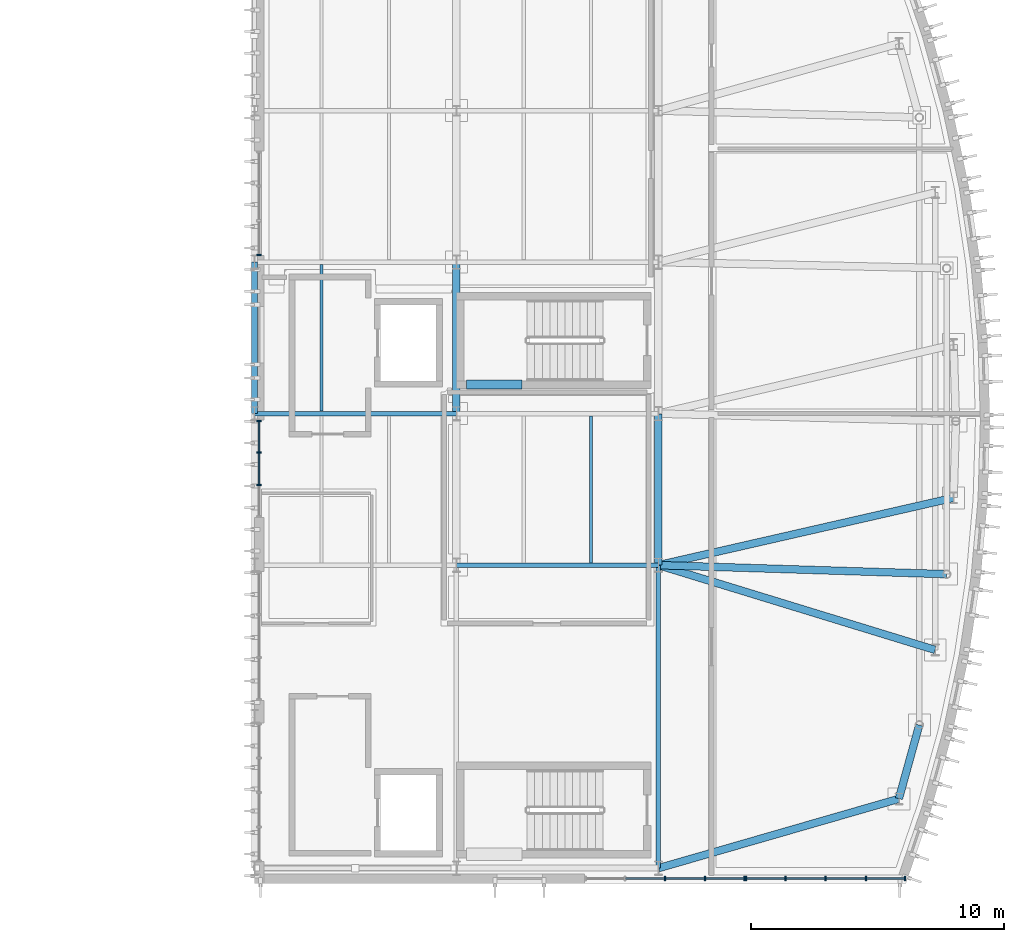
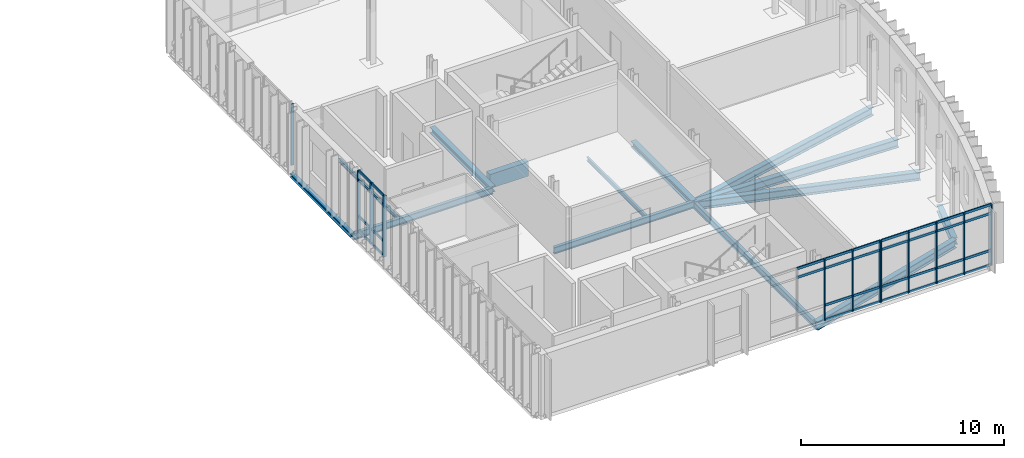
# One storey, part 13 of 43: 46 members, 14 beams, 4 elements without a shape of their own.
"""IFC4 building model written with IfcOpenShell, lengths in metres."""

from ifc_helpers import new_model, si_unit, direction, frame, origin, origin_2d, place, context, subcontext, project, spatial, rectangle, i_section, extrude, material, material_profile, profile_set, type_object, element, aggregate, save


model = new_model("IFC4")

# Units and contexts
model_context = context("Model", 3, precision=1e-05, world=origin(), true_north=direction((0.0, 1.0)))
body_context = subcontext(model_context, "Body", "Model", "MODEL_VIEW")
ifc_project = project(units=[si_unit("LENGTHUNIT", "METRE"), si_unit("AREAUNIT", "SQUARE_METRE"), si_unit("VOLUMEUNIT", "CUBIC_METRE"), si_unit("PLANEANGLEUNIT", "RADIAN"), si_unit("MASSUNIT", "GRAM", prefix="KILO")], contexts=[model_context])

# Site, building, storey
site_placement = place(None, origin())
site = spatial("IfcSite", under=ifc_project, at=site_placement, CompositionType="ELEMENT")
building_placement = place(site_placement, origin())
building = spatial("IfcBuilding", under=site, at=building_placement, Name="Cymarion Research Institute", CompositionType="ELEMENT")
storey_placement = place(building_placement, frame((0.0, 0.0, 22.800048828125)))
storey = spatial("IfcBuildingStorey", under=building, at=storey_placement, Name="L05", CompositionType="ELEMENT", Elevation=22.800048828125)

# Beam
ifc_material_1 = material(Name="Concrete C40/50", Category="concrete")
ifc_material_profile_1 = material_profile(ifc_material_1, rectangle(XDim=0.35009765625, YDim=0.85009765625, at=origin_2d()), Name="RC 350x850")
ifc_profile_set_1 = profile_set([ifc_material_profile_1], Name="Concrete C40/50")
beam_type_1 = type_object("IfcBeamType", Name="COUPLING LINTEL LN02 RC 350x850", PredefinedType="LINTEL", material=ifc_profile_set_1)
beam_1_placement = place(storey_placement, frame((147.0, 24.64990234375, -0.6650390625), z_axis=(1.0, 0.0, 0.0), x_axis=(0.0, 1.0, 0.0)))
element("IfcBeam", 1, at=beam_1_placement, inside=storey, type_object=beam_type_1, Name="L05 C2 core coupling lintel LN02", PredefinedType="LINTEL", context=body_context, shape_type="SweptSolid", body=[
    extrude(rectangle(XDim=0.35009765625, YDim=0.85009765625, at=origin_2d()), origin(), (0.0, 0.0, 1.0), 2.199951171875),
])

# Curtain wall, members
ifc_material_2 = material(Name="Anodised aluminium unitised curtain wall with Low-E glazing", Category="aluminium")
curtain_wall_type_1 = type_object("IfcCurtainWallType", Name="UNITISED CURTAIN WALL CW46 6360X3680", PredefinedType="NOTDEFINED", material=ifc_material_2)
curtain_wall_1_placement = place(storey_placement, origin())
curtain_wall_1 = element("IfcCurtainWall", 2, at=curtain_wall_1_placement, inside=storey, type_object=curtain_wall_type_1, Name="L05 V1 unitised curtain wall CW46 #200", PredefinedType="NOTDEFINED")
ifc_material_3 = material(Name="Anodised aluminium framing", Category="aluminium")
ifc_material_profile_2 = material_profile(ifc_material_3, rectangle(XDim=0.06005859375, YDim=0.179931640625, at=origin_2d()), Name="ALU MULLION 60x180")
ifc_profile_set_2 = profile_set([ifc_material_profile_2], Name="Anodised aluminium framing")
member_type_1 = type_object("IfcMemberType", Name="CURTAIN WALL MULLION ML01 60X180", PredefinedType="MULLION", material=ifc_profile_set_2)
member_1_placement = place(storey_placement, frame((154.86083984375, 5.090087890625, 0.0), z_axis=(0.0, 0.0, 1.0), x_axis=(1.0, 0.0, 0.0)))
member_1 = element("IfcMember", 3, at=member_1_placement, type_object=member_type_1, Name="CW46 mullion 3", PredefinedType="MULLION", context=body_context, shape_type="SweptSolid", body=[
    extrude(rectangle(XDim=0.06005859375, YDim=0.179931640625, at=origin_2d()), origin(), (0.0, 0.0, 1.0), 3.679931640625),
])
member_2_placement = place(storey_placement, frame((156.45068359375, 5.090087890625, 0.0), z_axis=(0.0, 0.0, 1.0), x_axis=(1.0, 0.0, 0.0)))
member_2 = element("IfcMember", 4, at=member_2_placement, type_object=member_type_1, Name="CW46 mullion 4", PredefinedType="MULLION", context=body_context, shape_type="SweptSolid", body=[
    extrude(rectangle(XDim=0.06005859375, YDim=0.179931640625, at=origin_2d()), origin(), (0.0, 0.0, 1.0), 3.679931640625),
])
member_3_placement = place(storey_placement, frame((158.010498046875, 5.090087890625, 0.0), z_axis=(0.0, 0.0, 1.0), x_axis=(1.0, 0.0, 0.0)))
member_3 = element("IfcMember", 5, at=member_3_placement, type_object=member_type_1, Name="CW46 mullion 5", PredefinedType="MULLION", context=body_context, shape_type="SweptSolid", body=[
    extrude(rectangle(XDim=0.06005859375, YDim=0.179931640625, at=origin_2d()), origin(), (0.0, 0.0, 1.0), 3.679931640625),
])

curtain_wall_2_placement = place(storey_placement, origin())
curtain_wall_2 = element("IfcCurtainWall", 6, at=curtain_wall_2_placement, inside=storey, type_object=curtain_wall_type_1, Name="L05 V1 unitised curtain wall CW46 #201", PredefinedType="NOTDEFINED")
member_4_placement = place(storey_placement, frame((158.070556640625, 5.090087890625, 0.0), z_axis=(0.0, 0.0, 1.0), x_axis=(1.0, 0.0, 0.0)))
member_4 = element("IfcMember", 7, at=member_4_placement, type_object=member_type_1, Name="CW46 mullion 1", PredefinedType="MULLION", context=body_context, shape_type="SweptSolid", body=[
    extrude(rectangle(XDim=0.06005859375, YDim=0.179931640625, at=origin_2d()), origin(), (0.0, 0.0, 1.0), 3.679931640625),
])
member_5_placement = place(storey_placement, frame((159.63037109375, 5.090087890625, 0.0), z_axis=(0.0, 0.0, 1.0), x_axis=(1.0, 0.0, 0.0)))
member_5 = element("IfcMember", 8, at=member_5_placement, type_object=member_type_1, Name="CW46 mullion 2", PredefinedType="MULLION", context=body_context, shape_type="SweptSolid", body=[
    extrude(rectangle(XDim=0.06005859375, YDim=0.179931640625, at=origin_2d()), origin(), (0.0, 0.0, 1.0), 3.679931640625),
])
member_6_placement = place(storey_placement, frame((161.22021484375, 5.090087890625, 0.0), z_axis=(0.0, 0.0, 1.0), x_axis=(1.0, 0.0, 0.0)))
member_6 = element("IfcMember", 9, at=member_6_placement, type_object=member_type_1, Name="CW46 mullion 3", PredefinedType="MULLION", context=body_context, shape_type="SweptSolid", body=[
    extrude(rectangle(XDim=0.06005859375, YDim=0.179931640625, at=origin_2d()), origin(), (0.0, 0.0, 1.0), 3.679931640625),
])
member_7_placement = place(storey_placement, frame((162.81005859375, 5.090087890625, 0.0), z_axis=(0.0, 0.0, 1.0), x_axis=(1.0, 0.0, 0.0)))
member_7 = element("IfcMember", 10, at=member_7_placement, type_object=member_type_1, Name="CW46 mullion 4", PredefinedType="MULLION", context=body_context, shape_type="SweptSolid", body=[
    extrude(rectangle(XDim=0.06005859375, YDim=0.179931640625, at=origin_2d()), origin(), (0.0, 0.0, 1.0), 3.679931640625),
])
member_8_placement = place(storey_placement, frame((164.3701171875, 5.090087890625, 0.0), z_axis=(0.0, 0.0, 1.0), x_axis=(1.0, 0.0, 0.0)))
member_8 = element("IfcMember", 11, at=member_8_placement, type_object=member_type_1, Name="CW46 mullion 5", PredefinedType="MULLION", context=body_context, shape_type="SweptSolid", body=[
    extrude(rectangle(XDim=0.06005859375, YDim=0.179931640625, at=origin_2d()), origin(), (0.0, 0.0, 1.0), 3.679931640625),
])

# Curtain wall, member
curtain_wall_type_2 = type_object("IfcCurtainWallType", Name="UNITISED CURTAIN WALL CW51 4130X3680", PredefinedType="NOTDEFINED", material=ifc_material_2)
curtain_wall_3_placement = place(storey_placement, origin())
curtain_wall_3 = element("IfcCurtainWall", 12, at=curtain_wall_3_placement, inside=storey, type_object=curtain_wall_type_2, Name="L05 V1 unitised curtain wall CW51 #206", PredefinedType="NOTDEFINED")
member_9_placement = place(storey_placement, frame((138.7900390625, 29.7900390625, 0.0), z_axis=(0.0, 0.0, 1.0), x_axis=(0.0, -1.0, 0.0)))
member_9 = element("IfcMember", 13, at=member_9_placement, type_object=member_type_1, Name="CW51 mullion 4", PredefinedType="MULLION", context=body_context, shape_type="SweptSolid", body=[
    extrude(rectangle(XDim=0.06005859375, YDim=0.179931640625, at=origin_2d()), origin(), (0.0, 0.0, 1.0), 3.679931640625),
])
aggregate(curtain_wall_3, [member_9])

# Curtain wall, members
curtain_wall_type_3 = type_object("IfcCurtainWallType", Name="UNITISED CURTAIN WALL CW52 3850X3680", PredefinedType="NOTDEFINED", material=ifc_material_2)
curtain_wall_4_placement = place(storey_placement, origin())
curtain_wall_4 = element("IfcCurtainWall", 14, at=curtain_wall_4_placement, inside=storey, type_object=curtain_wall_type_3, Name="L05 V1 unitised curtain wall CW52 #207", PredefinedType="NOTDEFINED")
member_10_placement = place(storey_placement, frame((138.7900390625, 23.2099609375, 0.0), z_axis=(0.0, 0.0, 1.0), x_axis=(0.0, -1.0, 0.0)))
member_10 = element("IfcMember", 15, at=member_10_placement, type_object=member_type_1, Name="CW52 mullion 1", PredefinedType="MULLION", context=body_context, shape_type="SweptSolid", body=[
    extrude(rectangle(XDim=0.06005859375, YDim=0.179931640625, at=origin_2d()), origin(), (0.0, 0.0, 1.0), 3.679931640625),
])
member_11_placement = place(storey_placement, frame((138.7900390625, 21.95849609375, 0.0), z_axis=(0.0, 0.0, 1.0), x_axis=(0.0, -1.0, 0.0)))
member_11 = element("IfcMember", 16, at=member_11_placement, type_object=member_type_1, Name="CW52 mullion 2", PredefinedType="MULLION", context=body_context, shape_type="SweptSolid", body=[
    extrude(rectangle(XDim=0.06005859375, YDim=0.179931640625, at=origin_2d()), origin(), (0.0, 0.0, 1.0), 3.679931640625),
])
member_12_placement = place(storey_placement, frame((138.7900390625, 20.6767578125, 0.0), z_axis=(0.0, 0.0, 1.0), x_axis=(0.0, -1.0, 0.0)))
member_12 = element("IfcMember", 17, at=member_12_placement, type_object=member_type_1, Name="CW52 mullion 3", PredefinedType="MULLION", context=body_context, shape_type="SweptSolid", body=[
    extrude(rectangle(XDim=0.06005859375, YDim=0.179931640625, at=origin_2d()), origin(), (0.0, 0.0, 1.0), 3.679931640625),
])

# Member
ifc_material_profile_3 = material_profile(ifc_material_3, rectangle(XDim=0.06005859375, YDim=0.14990234375, at=origin_2d()), Name="ALU TRANSOM 60x150")
ifc_profile_set_3 = profile_set([ifc_material_profile_3], Name="Anodised aluminium framing")
member_type_2 = type_object("IfcMemberType", Name="CURTAIN WALL TRANSOM TR01 60X150", PredefinedType="USERDEFINED", material=ifc_profile_set_3)
member_13_placement = place(storey_placement, frame((153.30078125, 5.090087890625, 3.1298828125), z_axis=(1.0, 0.0, 0.0), x_axis=(0.0, 1.0, 0.0)))
member_13 = element("IfcMember", 18, at=member_13_placement, type_object=member_type_2, Name="CW46 transom 2.3", ObjectType="TRANSOM", PredefinedType="USERDEFINED", context=body_context, shape_type="SweptSolid", body=[
    extrude(rectangle(XDim=0.06005859375, YDim=0.14990234375, at=origin_2d()), origin(), (0.0, 0.0, 1.0), 1.530029296875),
])

member_14_placement = place(storey_placement, frame((153.30078125, 5.090087890625, 3.64990234375), z_axis=(1.0, 0.0, 0.0), x_axis=(0.0, 1.0, 0.0)))
member_14 = element("IfcMember", 19, at=member_14_placement, type_object=member_type_2, Name="CW46 transom 2.4", ObjectType="TRANSOM", PredefinedType="USERDEFINED", context=body_context, shape_type="SweptSolid", body=[
    extrude(rectangle(XDim=0.06005859375, YDim=0.14990234375, at=origin_2d()), origin(), (0.0, 0.0, 1.0), 1.530029296875),
])

member_15_placement = place(storey_placement, frame((154.890869140625, 5.090087890625, 0.030029296875), z_axis=(1.0, 0.0, 0.0), x_axis=(0.0, 1.0, 0.0)))
member_15 = element("IfcMember", 20, at=member_15_placement, type_object=member_type_2, Name="CW46 transom 3.1", ObjectType="TRANSOM", PredefinedType="USERDEFINED", context=body_context, shape_type="SweptSolid", body=[
    extrude(rectangle(XDim=0.06005859375, YDim=0.14990234375, at=origin_2d()), origin(), (0.0, 0.0, 1.0), 1.52978515625),
])

member_16_placement = place(storey_placement, frame((154.890869140625, 5.090087890625, 0.89990234375), z_axis=(1.0, 0.0, 0.0), x_axis=(0.0, 1.0, 0.0)))
member_16 = element("IfcMember", 21, at=member_16_placement, type_object=member_type_2, Name="CW46 transom 3.2", ObjectType="TRANSOM", PredefinedType="USERDEFINED", context=body_context, shape_type="SweptSolid", body=[
    extrude(rectangle(XDim=0.06005859375, YDim=0.14990234375, at=origin_2d()), origin(), (0.0, 0.0, 1.0), 1.52978515625),
])

member_17_placement = place(storey_placement, frame((154.890869140625, 5.090087890625, 3.1298828125), z_axis=(1.0, 0.0, 0.0), x_axis=(0.0, 1.0, 0.0)))
member_17 = element("IfcMember", 22, at=member_17_placement, type_object=member_type_2, Name="CW46 transom 3.3", ObjectType="TRANSOM", PredefinedType="USERDEFINED", context=body_context, shape_type="SweptSolid", body=[
    extrude(rectangle(XDim=0.06005859375, YDim=0.14990234375, at=origin_2d()), origin(), (0.0, 0.0, 1.0), 1.52978515625),
])

member_18_placement = place(storey_placement, frame((154.890869140625, 5.090087890625, 3.64990234375), z_axis=(1.0, 0.0, 0.0), x_axis=(0.0, 1.0, 0.0)))
member_18 = element("IfcMember", 23, at=member_18_placement, type_object=member_type_2, Name="CW46 transom 3.4", ObjectType="TRANSOM", PredefinedType="USERDEFINED", context=body_context, shape_type="SweptSolid", body=[
    extrude(rectangle(XDim=0.06005859375, YDim=0.14990234375, at=origin_2d()), origin(), (0.0, 0.0, 1.0), 1.52978515625),
])

member_19_placement = place(storey_placement, frame((156.480712890625, 5.090087890625, 0.030029296875), z_axis=(1.0, 0.0, 0.0), x_axis=(0.0, 1.0, 0.0)))
member_19 = element("IfcMember", 24, at=member_19_placement, type_object=member_type_2, Name="CW46 transom 4.1", ObjectType="TRANSOM", PredefinedType="USERDEFINED", context=body_context, shape_type="SweptSolid", body=[
    extrude(rectangle(XDim=0.06005859375, YDim=0.14990234375, at=origin_2d()), origin(), (0.0, 0.0, 1.0), 1.499755859375),
])

member_20_placement = place(storey_placement, frame((156.480712890625, 5.090087890625, 0.89990234375), z_axis=(1.0, 0.0, 0.0), x_axis=(0.0, 1.0, 0.0)))
member_20 = element("IfcMember", 25, at=member_20_placement, type_object=member_type_2, Name="CW46 transom 4.2", ObjectType="TRANSOM", PredefinedType="USERDEFINED", context=body_context, shape_type="SweptSolid", body=[
    extrude(rectangle(XDim=0.06005859375, YDim=0.14990234375, at=origin_2d()), origin(), (0.0, 0.0, 1.0), 1.499755859375),
])

member_21_placement = place(storey_placement, frame((156.480712890625, 5.090087890625, 3.1298828125), z_axis=(1.0, 0.0, 0.0), x_axis=(0.0, 1.0, 0.0)))
member_21 = element("IfcMember", 26, at=member_21_placement, type_object=member_type_2, Name="CW46 transom 4.3", ObjectType="TRANSOM", PredefinedType="USERDEFINED", context=body_context, shape_type="SweptSolid", body=[
    extrude(rectangle(XDim=0.06005859375, YDim=0.14990234375, at=origin_2d()), origin(), (0.0, 0.0, 1.0), 1.499755859375),
])

member_22_placement = place(storey_placement, frame((156.480712890625, 5.090087890625, 3.64990234375), z_axis=(1.0, 0.0, 0.0), x_axis=(0.0, 1.0, 0.0)))
member_22 = element("IfcMember", 27, at=member_22_placement, type_object=member_type_2, Name="CW46 transom 4.4", ObjectType="TRANSOM", PredefinedType="USERDEFINED", context=body_context, shape_type="SweptSolid", body=[
    extrude(rectangle(XDim=0.06005859375, YDim=0.14990234375, at=origin_2d()), origin(), (0.0, 0.0, 1.0), 1.499755859375),
])

aggregate(curtain_wall_1, [member_1, member_2, member_3, member_13, member_14, member_15, member_16, member_17, member_18, member_19, member_20, member_21, member_22])

member_23_placement = place(storey_placement, frame((158.1005859375, 5.090087890625, 0.030029296875), z_axis=(1.0, 0.0, 0.0), x_axis=(0.0, 1.0, 0.0)))
member_23 = element("IfcMember", 28, at=member_23_placement, type_object=member_type_2, Name="CW46 transom 1.1", ObjectType="TRANSOM", PredefinedType="USERDEFINED", context=body_context, shape_type="SweptSolid", body=[
    extrude(rectangle(XDim=0.06005859375, YDim=0.14990234375, at=origin_2d()), origin(), (0.0, 0.0, 1.0), 1.499755859375),
])

member_24_placement = place(storey_placement, frame((158.1005859375, 5.090087890625, 0.89990234375), z_axis=(1.0, 0.0, 0.0), x_axis=(0.0, 1.0, 0.0)))
member_24 = element("IfcMember", 29, at=member_24_placement, type_object=member_type_2, Name="CW46 transom 1.2", ObjectType="TRANSOM", PredefinedType="USERDEFINED", context=body_context, shape_type="SweptSolid", body=[
    extrude(rectangle(XDim=0.06005859375, YDim=0.14990234375, at=origin_2d()), origin(), (0.0, 0.0, 1.0), 1.499755859375),
])

member_25_placement = place(storey_placement, frame((158.1005859375, 5.090087890625, 3.1298828125), z_axis=(1.0, 0.0, 0.0), x_axis=(0.0, 1.0, 0.0)))
member_25 = element("IfcMember", 30, at=member_25_placement, type_object=member_type_2, Name="CW46 transom 1.3", ObjectType="TRANSOM", PredefinedType="USERDEFINED", context=body_context, shape_type="SweptSolid", body=[
    extrude(rectangle(XDim=0.06005859375, YDim=0.14990234375, at=origin_2d()), origin(), (0.0, 0.0, 1.0), 1.499755859375),
])

member_26_placement = place(storey_placement, frame((158.1005859375, 5.090087890625, 3.64990234375), z_axis=(1.0, 0.0, 0.0), x_axis=(0.0, 1.0, 0.0)))
member_26 = element("IfcMember", 31, at=member_26_placement, type_object=member_type_2, Name="CW46 transom 1.4", ObjectType="TRANSOM", PredefinedType="USERDEFINED", context=body_context, shape_type="SweptSolid", body=[
    extrude(rectangle(XDim=0.06005859375, YDim=0.14990234375, at=origin_2d()), origin(), (0.0, 0.0, 1.0), 1.499755859375),
])

member_27_placement = place(storey_placement, frame((159.660400390625, 5.090087890625, 0.030029296875), z_axis=(1.0, 0.0, 0.0), x_axis=(0.0, 1.0, 0.0)))
member_27 = element("IfcMember", 32, at=member_27_placement, type_object=member_type_2, Name="CW46 transom 2.1", ObjectType="TRANSOM", PredefinedType="USERDEFINED", context=body_context, shape_type="SweptSolid", body=[
    extrude(rectangle(XDim=0.06005859375, YDim=0.14990234375, at=origin_2d()), origin(), (0.0, 0.0, 1.0), 1.52978515625),
])

member_28_placement = place(storey_placement, frame((159.660400390625, 5.090087890625, 0.89990234375), z_axis=(1.0, 0.0, 0.0), x_axis=(0.0, 1.0, 0.0)))
member_28 = element("IfcMember", 33, at=member_28_placement, type_object=member_type_2, Name="CW46 transom 2.2", ObjectType="TRANSOM", PredefinedType="USERDEFINED", context=body_context, shape_type="SweptSolid", body=[
    extrude(rectangle(XDim=0.06005859375, YDim=0.14990234375, at=origin_2d()), origin(), (0.0, 0.0, 1.0), 1.52978515625),
])

member_29_placement = place(storey_placement, frame((159.660400390625, 5.090087890625, 3.1298828125), z_axis=(1.0, 0.0, 0.0), x_axis=(0.0, 1.0, 0.0)))
member_29 = element("IfcMember", 34, at=member_29_placement, type_object=member_type_2, Name="CW46 transom 2.3", ObjectType="TRANSOM", PredefinedType="USERDEFINED", context=body_context, shape_type="SweptSolid", body=[
    extrude(rectangle(XDim=0.06005859375, YDim=0.14990234375, at=origin_2d()), origin(), (0.0, 0.0, 1.0), 1.52978515625),
])

member_30_placement = place(storey_placement, frame((159.660400390625, 5.090087890625, 3.64990234375), z_axis=(1.0, 0.0, 0.0), x_axis=(0.0, 1.0, 0.0)))
member_30 = element("IfcMember", 35, at=member_30_placement, type_object=member_type_2, Name="CW46 transom 2.4", ObjectType="TRANSOM", PredefinedType="USERDEFINED", context=body_context, shape_type="SweptSolid", body=[
    extrude(rectangle(XDim=0.06005859375, YDim=0.14990234375, at=origin_2d()), origin(), (0.0, 0.0, 1.0), 1.52978515625),
])

member_31_placement = place(storey_placement, frame((161.250244140625, 5.090087890625, 0.030029296875), z_axis=(1.0, 0.0, 0.0), x_axis=(0.0, 1.0, 0.0)))
member_31 = element("IfcMember", 36, at=member_31_placement, type_object=member_type_2, Name="CW46 transom 3.1", ObjectType="TRANSOM", PredefinedType="USERDEFINED", context=body_context, shape_type="SweptSolid", body=[
    extrude(rectangle(XDim=0.06005859375, YDim=0.14990234375, at=origin_2d()), origin(), (0.0, 0.0, 1.0), 1.52978515625),
])

member_32_placement = place(storey_placement, frame((161.250244140625, 5.090087890625, 0.89990234375), z_axis=(1.0, 0.0, 0.0), x_axis=(0.0, 1.0, 0.0)))
member_32 = element("IfcMember", 37, at=member_32_placement, type_object=member_type_2, Name="CW46 transom 3.2", ObjectType="TRANSOM", PredefinedType="USERDEFINED", context=body_context, shape_type="SweptSolid", body=[
    extrude(rectangle(XDim=0.06005859375, YDim=0.14990234375, at=origin_2d()), origin(), (0.0, 0.0, 1.0), 1.52978515625),
])

member_33_placement = place(storey_placement, frame((161.250244140625, 5.090087890625, 3.1298828125), z_axis=(1.0, 0.0, 0.0), x_axis=(0.0, 1.0, 0.0)))
member_33 = element("IfcMember", 38, at=member_33_placement, type_object=member_type_2, Name="CW46 transom 3.3", ObjectType="TRANSOM", PredefinedType="USERDEFINED", context=body_context, shape_type="SweptSolid", body=[
    extrude(rectangle(XDim=0.06005859375, YDim=0.14990234375, at=origin_2d()), origin(), (0.0, 0.0, 1.0), 1.52978515625),
])

member_34_placement = place(storey_placement, frame((161.250244140625, 5.090087890625, 3.64990234375), z_axis=(1.0, 0.0, 0.0), x_axis=(0.0, 1.0, 0.0)))
member_34 = element("IfcMember", 39, at=member_34_placement, type_object=member_type_2, Name="CW46 transom 3.4", ObjectType="TRANSOM", PredefinedType="USERDEFINED", context=body_context, shape_type="SweptSolid", body=[
    extrude(rectangle(XDim=0.06005859375, YDim=0.14990234375, at=origin_2d()), origin(), (0.0, 0.0, 1.0), 1.52978515625),
])

member_35_placement = place(storey_placement, frame((162.840087890625, 5.090087890625, 0.030029296875), z_axis=(1.0, 0.0, 0.0), x_axis=(0.0, 1.0, 0.0)))
member_35 = element("IfcMember", 40, at=member_35_placement, type_object=member_type_2, Name="CW46 transom 4.1", ObjectType="TRANSOM", PredefinedType="USERDEFINED", context=body_context, shape_type="SweptSolid", body=[
    extrude(rectangle(XDim=0.06005859375, YDim=0.14990234375, at=origin_2d()), origin(), (0.0, 0.0, 1.0), 1.5),
])

member_36_placement = place(storey_placement, frame((162.840087890625, 5.090087890625, 0.89990234375), z_axis=(1.0, 0.0, 0.0), x_axis=(0.0, 1.0, 0.0)))
member_36 = element("IfcMember", 41, at=member_36_placement, type_object=member_type_2, Name="CW46 transom 4.2", ObjectType="TRANSOM", PredefinedType="USERDEFINED", context=body_context, shape_type="SweptSolid", body=[
    extrude(rectangle(XDim=0.06005859375, YDim=0.14990234375, at=origin_2d()), origin(), (0.0, 0.0, 1.0), 1.5),
])

member_37_placement = place(storey_placement, frame((162.840087890625, 5.090087890625, 3.1298828125), z_axis=(1.0, 0.0, 0.0), x_axis=(0.0, 1.0, 0.0)))
member_37 = element("IfcMember", 42, at=member_37_placement, type_object=member_type_2, Name="CW46 transom 4.3", ObjectType="TRANSOM", PredefinedType="USERDEFINED", context=body_context, shape_type="SweptSolid", body=[
    extrude(rectangle(XDim=0.06005859375, YDim=0.14990234375, at=origin_2d()), origin(), (0.0, 0.0, 1.0), 1.5),
])

member_38_placement = place(storey_placement, frame((162.840087890625, 5.090087890625, 3.64990234375), z_axis=(1.0, 0.0, 0.0), x_axis=(0.0, 1.0, 0.0)))
member_38 = element("IfcMember", 43, at=member_38_placement, type_object=member_type_2, Name="CW46 transom 4.4", ObjectType="TRANSOM", PredefinedType="USERDEFINED", context=body_context, shape_type="SweptSolid", body=[
    extrude(rectangle(XDim=0.06005859375, YDim=0.14990234375, at=origin_2d()), origin(), (0.0, 0.0, 1.0), 1.5),
])

aggregate(curtain_wall_2, [member_4, member_5, member_6, member_7, member_8, member_23, member_24, member_25, member_26, member_27, member_28, member_29, member_30, member_31, member_32, member_33, member_34, member_35, member_36, member_37, member_38])

member_39_placement = place(storey_placement, frame((138.7900390625, 23.179931640625, 0.030029296875), z_axis=(0.0, -1.0, 0.0), x_axis=(1.0, 0.0, 0.0)))
member_39 = element("IfcMember", 44, at=member_39_placement, type_object=member_type_2, Name="CW52 transom 1.1", ObjectType="TRANSOM", PredefinedType="USERDEFINED", context=body_context, shape_type="SweptSolid", body=[
    extrude(rectangle(XDim=0.06005859375, YDim=0.14990234375, at=origin_2d()), origin(), (0.0, 0.0, 1.0), 1.191650390625),
])

member_40_placement = place(storey_placement, frame((138.7900390625, 23.179931640625, 0.89990234375), z_axis=(0.0, -1.0, 0.0), x_axis=(1.0, 0.0, 0.0)))
member_40 = element("IfcMember", 45, at=member_40_placement, type_object=member_type_2, Name="CW52 transom 1.2", ObjectType="TRANSOM", PredefinedType="USERDEFINED", context=body_context, shape_type="SweptSolid", body=[
    extrude(rectangle(XDim=0.06005859375, YDim=0.14990234375, at=origin_2d()), origin(), (0.0, 0.0, 1.0), 1.191650390625),
])

member_41_placement = place(storey_placement, frame((138.7900390625, 23.179931640625, 3.1298828125), z_axis=(0.0, -1.0, 0.0), x_axis=(1.0, 0.0, 0.0)))
member_41 = element("IfcMember", 46, at=member_41_placement, type_object=member_type_2, Name="CW52 transom 1.3", ObjectType="TRANSOM", PredefinedType="USERDEFINED", context=body_context, shape_type="SweptSolid", body=[
    extrude(rectangle(XDim=0.06005859375, YDim=0.14990234375, at=origin_2d()), origin(), (0.0, 0.0, 1.0), 1.191650390625),
])

member_42_placement = place(storey_placement, frame((138.7900390625, 23.179931640625, 3.64990234375), z_axis=(0.0, -1.0, 0.0), x_axis=(1.0, 0.0, 0.0)))
member_42 = element("IfcMember", 47, at=member_42_placement, type_object=member_type_2, Name="CW52 transom 1.4", ObjectType="TRANSOM", PredefinedType="USERDEFINED", context=body_context, shape_type="SweptSolid", body=[
    extrude(rectangle(XDim=0.06005859375, YDim=0.14990234375, at=origin_2d()), origin(), (0.0, 0.0, 1.0), 1.191650390625),
])

member_43_placement = place(storey_placement, frame((138.7900390625, 21.928466796875, 0.030029296875), z_axis=(0.0, -1.0, 0.0), x_axis=(1.0, 0.0, 0.0)))
member_43 = element("IfcMember", 48, at=member_43_placement, type_object=member_type_2, Name="CW52 transom 2.1", ObjectType="TRANSOM", PredefinedType="USERDEFINED", context=body_context, shape_type="SweptSolid", body=[
    extrude(rectangle(XDim=0.06005859375, YDim=0.14990234375, at=origin_2d()), origin(), (0.0, 0.0, 1.0), 1.2216796875),
])

member_44_placement = place(storey_placement, frame((138.7900390625, 21.928466796875, 0.89990234375), z_axis=(0.0, -1.0, 0.0), x_axis=(1.0, 0.0, 0.0)))
member_44 = element("IfcMember", 49, at=member_44_placement, type_object=member_type_2, Name="CW52 transom 2.2", ObjectType="TRANSOM", PredefinedType="USERDEFINED", context=body_context, shape_type="SweptSolid", body=[
    extrude(rectangle(XDim=0.06005859375, YDim=0.14990234375, at=origin_2d()), origin(), (0.0, 0.0, 1.0), 1.2216796875),
])

member_45_placement = place(storey_placement, frame((138.7900390625, 21.928466796875, 3.1298828125), z_axis=(0.0, -1.0, 0.0), x_axis=(1.0, 0.0, 0.0)))
member_45 = element("IfcMember", 50, at=member_45_placement, type_object=member_type_2, Name="CW52 transom 2.3", ObjectType="TRANSOM", PredefinedType="USERDEFINED", context=body_context, shape_type="SweptSolid", body=[
    extrude(rectangle(XDim=0.06005859375, YDim=0.14990234375, at=origin_2d()), origin(), (0.0, 0.0, 1.0), 1.2216796875),
])

member_46_placement = place(storey_placement, frame((138.7900390625, 21.928466796875, 3.64990234375), z_axis=(0.0, -1.0, 0.0), x_axis=(1.0, 0.0, 0.0)))
member_46 = element("IfcMember", 51, at=member_46_placement, type_object=member_type_2, Name="CW52 transom 2.4", ObjectType="TRANSOM", PredefinedType="USERDEFINED", context=body_context, shape_type="SweptSolid", body=[
    extrude(rectangle(XDim=0.06005859375, YDim=0.14990234375, at=origin_2d()), origin(), (0.0, 0.0, 1.0), 1.2216796875),
])

aggregate(curtain_wall_4, [member_10, member_11, member_12, member_39, member_40, member_41, member_42, member_43, member_44, member_45, member_46])

# Beams
ifc_material_4 = material(Name="Steel S355", Category="steel")
ifc_material_profile_4 = material_profile(ifc_material_4, i_section(OverallWidth=0.179931640625, OverallDepth=0.39990234375, WebThickness=0.008544921875, FlangeThickness=0.013427734375, FilletRadius=0.02099609375, at=origin_2d()), Name="IPE 400")
ifc_profile_set_4 = profile_set([ifc_material_profile_4], Name="Steel S355")
beam_type_2 = type_object("IfcBeamType", Name="PRIMARY GIRDER BM05 IPE 400", PredefinedType="BEAM", material=ifc_profile_set_4)
for number, where, z_axis, x_axis, name in (
    (52, (146.60595703125, 17.5, -0.420166015625), (1.0, 0.0, 0.0), (0.0, 1.0, 0.0), "L05 V1 girder BM05 #1846"),
    (53, (138.60595703125, 23.5, -0.420166015625), (1.0, 0.0, 0.0), (0.0, 1.0, 0.0), "L05 V1 girder BM05 #1847"),
):
    element("IfcBeam", number, at=place(storey_placement, frame(where, z_axis=z_axis, x_axis=x_axis)), inside=storey, type_object=beam_type_2, Name=name, PredefinedType="BEAM", context=body_context, shape_type="SweptSolid", body=[
        extrude(i_section(OverallWidth=0.179931640625, OverallDepth=0.39990234375, WebThickness=0.008544921875, FlangeThickness=0.013427734375, FilletRadius=0.02099609375, at=origin_2d()), origin(), (0.0, 0.0, 1.0), 7.988037109375),
    ])
beam_2_placement = place(storey_placement, frame((154.60009765625, 5.506103515625, -0.420166015625), z_axis=(0.0, 1.0, 0.0), x_axis=(-1.0, 0.0, 0.0)))
element("IfcBeam", 54, at=beam_2_placement, inside=storey, type_object=beam_type_2, Name="L05 V1 girder BM05 #1866", PredefinedType="BEAM", context=body_context, shape_type="SweptSolid", body=[
    extrude(i_section(OverallWidth=0.179931640625, OverallDepth=0.39990234375, WebThickness=0.008544921875, FlangeThickness=0.013427734375, FilletRadius=0.02099609375, at=origin_2d()), origin(), (0.0, 0.0, 1.0), 11.98779296875),
])
ifc_material_profile_5 = material_profile(ifc_material_4, i_section(OverallWidth=0.300048828125, OverallDepth=0.5, WebThickness=0.014404296875, FlangeThickness=0.028076171875, FilletRadius=0.027099609375, at=origin_2d()), Name="HEB 500")
ifc_profile_set_5 = profile_set([ifc_material_profile_5], Name="Steel S355")
beam_type_3 = type_object("IfcBeamType", Name="PRIMARY GIRDER BM09 HEB 500", PredefinedType="BEAM", material=ifc_profile_set_5)
beam_3_placement = place(storey_placement, frame((154.607666015625, 5.502197265625, -0.469970703125), z_axis=(0.960790340878, 0.277275893067, 0.0), x_axis=(-0.277275893067, 0.960790340878, 0.0)))
element("IfcBeam", 55, at=beam_3_placement, inside=storey, type_object=beam_type_3, Name="L05 V1 radial prow girder BM09 #1878", PredefinedType="BEAM", context=body_context, shape_type="SweptSolid", body=[
    extrude(i_section(OverallWidth=0.300048828125, OverallDepth=0.5, WebThickness=0.014404296875, FlangeThickness=0.028076171875, FilletRadius=0.027099609375, at=origin_2d()), origin(), (0.0, 0.0, 1.0), 9.8916015625),
])
beam_4_placement = place(storey_placement, frame((154.607666015625, 17.497802734375, -0.469970703125), z_axis=(0.956111343016, -0.29300358318, 0.0), x_axis=(0.29300358318, 0.956111343016, 0.0)))
element("IfcBeam", 56, at=beam_4_placement, inside=storey, type_object=beam_type_3, Name="L05 V1 radial prow girder BM09 #1879", PredefinedType="BEAM", context=body_context, shape_type="SweptSolid", body=[
    extrude(i_section(OverallWidth=0.300048828125, OverallDepth=0.5, WebThickness=0.014404296875, FlangeThickness=0.028076171875, FilletRadius=0.027099609375, at=origin_2d()), origin(), (0.0, 0.0, 1.0), 11.447021484375),
])
beam_5_placement = place(storey_placement, frame((154.60791015625, 17.499755859375, -0.469970703125), z_axis=(0.999510612774, -0.03128154332, 0.0), x_axis=(0.03128154332, 0.999510612774, 0.0)))
element("IfcBeam", 57, at=beam_5_placement, inside=storey, type_object=beam_type_3, Name="L05 V1 radial prow girder BM09 #1880", PredefinedType="BEAM", context=body_context, shape_type="SweptSolid", body=[
    extrude(i_section(OverallWidth=0.300048828125, OverallDepth=0.5, WebThickness=0.014404296875, FlangeThickness=0.028076171875, FilletRadius=0.027099609375, at=origin_2d()), origin(), (0.0, 0.0, 1.0), 11.402587890625),
])
beam_6_placement = place(storey_placement, frame((154.60791015625, 17.501708984375, -0.469970703125), z_axis=(0.974944767555, 0.222447072846, 0.0), x_axis=(-0.222447072846, 0.974944767555, 0.0)))
element("IfcBeam", 58, at=beam_6_placement, inside=storey, type_object=beam_type_3, Name="L05 V1 radial prow girder BM09 #1881", PredefinedType="BEAM", context=body_context, shape_type="SweptSolid", body=[
    extrude(i_section(OverallWidth=0.300048828125, OverallDepth=0.5, WebThickness=0.014404296875, FlangeThickness=0.028076171875, FilletRadius=0.027099609375, at=origin_2d()), origin(), (0.0, 0.0, 1.0), 11.969482421875),
])
ifc_material_profile_6 = material_profile(ifc_material_4, i_section(OverallWidth=0.300048828125, OverallDepth=0.39990234375, WebThickness=0.013427734375, FlangeThickness=0.02392578125, FilletRadius=0.027099609375, at=origin_2d()), Name="HEB 400")
ifc_profile_set_6 = profile_set([ifc_material_profile_6], Name="Steel S355")
beam_type_4 = type_object("IfcBeamType", Name="PRIMARY GIRDER BM11 HEB 400", PredefinedType="BEAM", material=ifc_profile_set_6)
beam_7_placement = place(storey_placement, frame((164.12109375, 8.254638671875, -0.420166015625), z_axis=(0.266488575035, 0.963838077364, 0.0), x_axis=(-0.963838077364, 0.266488575035, 0.0)))
element("IfcBeam", 59, at=beam_7_placement, inside=storey, type_object=beam_type_4, Name="L05 V1 prow ring girder BM11 #1874", PredefinedType="BEAM", context=body_context, shape_type="SweptSolid", body=[
    extrude(i_section(OverallWidth=0.300048828125, OverallDepth=0.39990234375, WebThickness=0.013427734375, FlangeThickness=0.02392578125, FilletRadius=0.027099609375, at=origin_2d()), origin(), (0.0, 0.0, 1.0), 3.01953125),
])
ifc_material_profile_7 = material_profile(ifc_material_4, i_section(OverallWidth=0.300048828125, OverallDepth=0.35009765625, WebThickness=0.010009765625, FlangeThickness=0.017578125, FilletRadius=0.027099609375, at=origin_2d()), Name="HEA 360")
ifc_profile_set_7 = profile_set([ifc_material_profile_7], Name="Steel S355")
beam_type_5 = type_object("IfcBeamType", Name="PRIMARY GIRDER BM12 HEA 360", PredefinedType="BEAM", material=ifc_profile_set_7)
for number, where, z_axis, x_axis, name in (
    (60, (146.60009765625, 23.506103515625, -0.39501953125), (0.0, 1.0, 0.0), (-1.0, 0.0, 0.0), "L05 V1 girder BM12 #1863"),
    (61, (154.60009765625, 17.506103515625, -0.39501953125), (0.0, 1.0, 0.0), (-1.0, 0.0, 0.0), "L05 V1 girder BM12 #1867"),
):
    element("IfcBeam", number, at=place(storey_placement, frame(where, z_axis=z_axis, x_axis=x_axis)), inside=storey, type_object=beam_type_5, Name=name, PredefinedType="BEAM", context=body_context, shape_type="SweptSolid", body=[
        extrude(i_section(OverallWidth=0.300048828125, OverallDepth=0.35009765625, WebThickness=0.010009765625, FlangeThickness=0.017578125, FilletRadius=0.027099609375, at=origin_2d()), origin(), (0.0, 0.0, 1.0), 5.98779296875),
    ])
ifc_material_profile_8 = material_profile(ifc_material_4, i_section(OverallWidth=0.1201171875, OverallDepth=0.239990234375, WebThickness=0.006103515625, FlangeThickness=0.009765625, FilletRadius=0.014892578125, at=origin_2d()), Name="IPE 240")
ifc_profile_set_8 = profile_set([ifc_material_profile_8], Name="Steel S355")
beam_type_6 = type_object("IfcBeamType", Name="SECONDARY JOIST JS04 IPE 240", PredefinedType="JOIST", material=ifc_profile_set_8)
for number, where, z_axis, x_axis, name in (
    (62, (151.933349609375, 17.593994140625, -0.340087890625), (0.0, 1.0, 0.0), (-1.0, 0.0, 0.0), "L05 V1 secondary joist JS04 #1891"),
    (63, (141.2666015625, 23.593994140625, -0.340087890625), (0.0, 1.0, 0.0), (-1.0, 0.0, 0.0), "L05 V1 secondary joist JS04 #1892"),
):
    element("IfcBeam", number, at=place(storey_placement, frame(where, z_axis=z_axis, x_axis=x_axis)), inside=storey, type_object=beam_type_6, Name=name, PredefinedType="JOIST", context=body_context, shape_type="SweptSolid", body=[
        extrude(i_section(OverallWidth=0.1201171875, OverallDepth=0.239990234375, WebThickness=0.006103515625, FlangeThickness=0.009765625, FilletRadius=0.014892578125, at=origin_2d()), origin(), (0.0, 0.0, 1.0), 5.81201171875),
    ])
ifc_material_profile_9 = material_profile(ifc_material_4, i_section(OverallWidth=0.239990234375, OverallDepth=0.22998046875, WebThickness=0.007568359375, FlangeThickness=0.011962890625, FilletRadius=0.02099609375, at=origin_2d()), Name="HEA 240")
ifc_profile_set_9 = profile_set([ifc_material_profile_9], Name="Steel S355")
beam_type_7 = type_object("IfcBeamType", Name="SPANDREL BEAM SPB03 HEA 240", PredefinedType="SPANDREL", material=ifc_profile_set_9)
beam_8_placement = place(storey_placement, frame((138.60009765625, 23.506103515625, -0.3349609375), z_axis=(0.0, 1.0, 0.0), x_axis=(-1.0, 0.0, 0.0)))
element("IfcBeam", 64, at=beam_8_placement, inside=storey, type_object=beam_type_7, Name="L05 V1 girder SPB03 #1858", PredefinedType="SPANDREL", context=body_context, shape_type="SweptSolid", body=[
    extrude(i_section(OverallWidth=0.239990234375, OverallDepth=0.22998046875, WebThickness=0.007568359375, FlangeThickness=0.011962890625, FilletRadius=0.02099609375, at=origin_2d()), origin(), (0.0, 0.0, 1.0), 5.98779296875),
])

save(model, "model.ifc")
